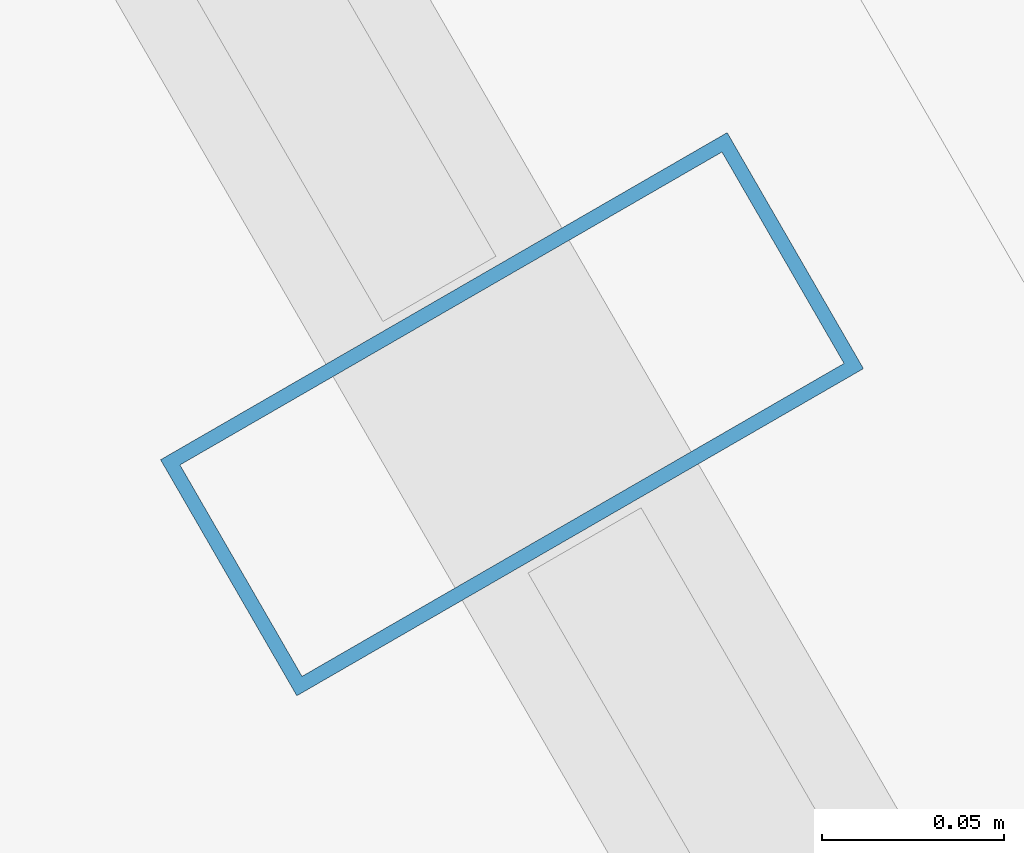
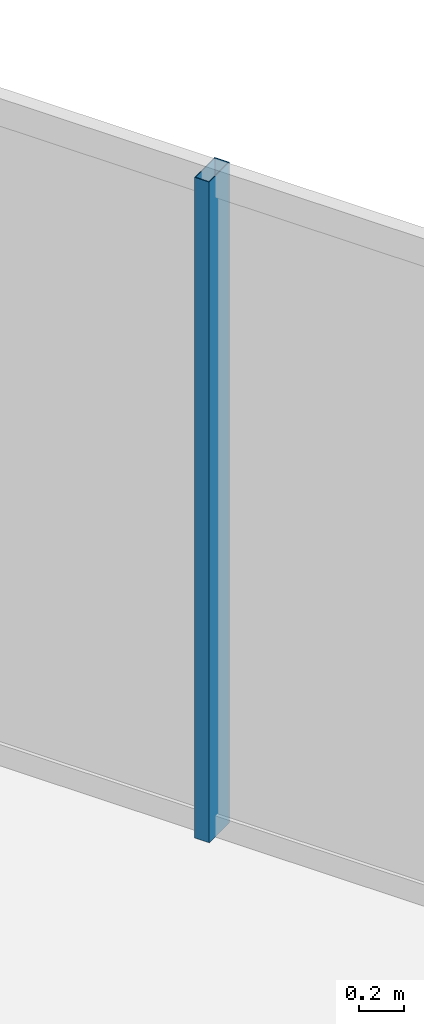
# One storey, part 17 of 32: 1 member, 1 element without a shape of its own.
"""IFC4 building model written with IfcOpenShell, lengths in metres."""

from ifc_helpers import new_model, si_unit, direction, frame, origin, origin_2d, place, context, subcontext, project, spatial, hollow_rectangle, extrude, material, layer, layer_set, material_profile, profile_set, type_object, element, aggregate, save


model = new_model("IFC4")

# Units and contexts
model_context = context("Model", 3, precision=1e-05, world=origin(), true_north=direction((0.0, 1.0)))
body_context = subcontext(model_context, "Body", "Model", "MODEL_VIEW")
ifc_project = project(units=[si_unit("LENGTHUNIT", "METRE"), si_unit("AREAUNIT", "SQUARE_METRE"), si_unit("VOLUMEUNIT", "CUBIC_METRE"), si_unit("PLANEANGLEUNIT", "RADIAN"), si_unit("MASSUNIT", "GRAM", prefix="KILO")], contexts=[model_context])

# Site, building, storey
site_placement = place(None, origin())
site = spatial("IfcSite", under=ifc_project, at=site_placement, CompositionType="ELEMENT")
building_placement = place(site_placement, origin())
building = spatial("IfcBuilding", under=site, at=building_placement, Name="Ndaravel Arena Tower", CompositionType="ELEMENT")
storey_placement = place(building_placement, frame((0.0, 0.0, 283.300048828125)))
storey = spatial("IfcBuildingStorey", under=building, at=storey_placement, Name="L69", CompositionType="ELEMENT", Elevation=283.300048828125)

# Curtain wall, member
ifc_material_1 = material(Name="Aluminium", Category="aluminium")
ifc_layer = layer(ifc_material_1, 0.179931640625)
ifc_layer_set = layer_set([ifc_layer], Name="Aluminium")
curtain_wall_type = type_object("IfcCurtainWallType", Name="CW-SYS-03", PredefinedType="NOTDEFINED", material=ifc_layer_set)
curtain_wall_placement = place(storey_placement, origin())
curtain_wall = element("IfcCurtainWall", 1, at=curtain_wall_placement, inside=storey, type_object=curtain_wall_type, Name="L69 Faceted Crystal Curtain Wall CW-L69-E03", PredefinedType="NOTDEFINED")
ifc_material_2 = material(Name="Aluminium", Category="aluminium")
ifc_material_profile = material_profile(ifc_material_2, hollow_rectangle(XDim=0.074951171875, YDim=0.179931640625, WallThickness=0.00390625, at=origin_2d()), Name="CW MULLION 75x180x4")
ifc_profile_set = profile_set([ifc_material_profile], Name="Aluminium")
member_type = type_object("IfcMemberType", Name="MEM-CW-MUL180", PredefinedType="MULLION", material=ifc_profile_set)
member_placement = place(storey_placement, frame((50.95068359375, 32.23046875, 0.0), z_axis=(0.0, 0.0, 1.0), x_axis=(-0.5, 0.866025403784, 0.0)))
member = element("IfcMember", 2, at=member_placement, type_object=member_type, Name="CW-L69-E03 Mullion 06", PredefinedType="MULLION", context=body_context, shape_type="SweptSolid", body=[
    extrude(hollow_rectangle(XDim=0.074951171875, YDim=0.179931640625, WallThickness=0.00390625, at=origin_2d()), origin(), (0.0, 0.0, 1.0), 3.579833984375),
])
aggregate(curtain_wall, [member])

save(model, "model.ifc")
